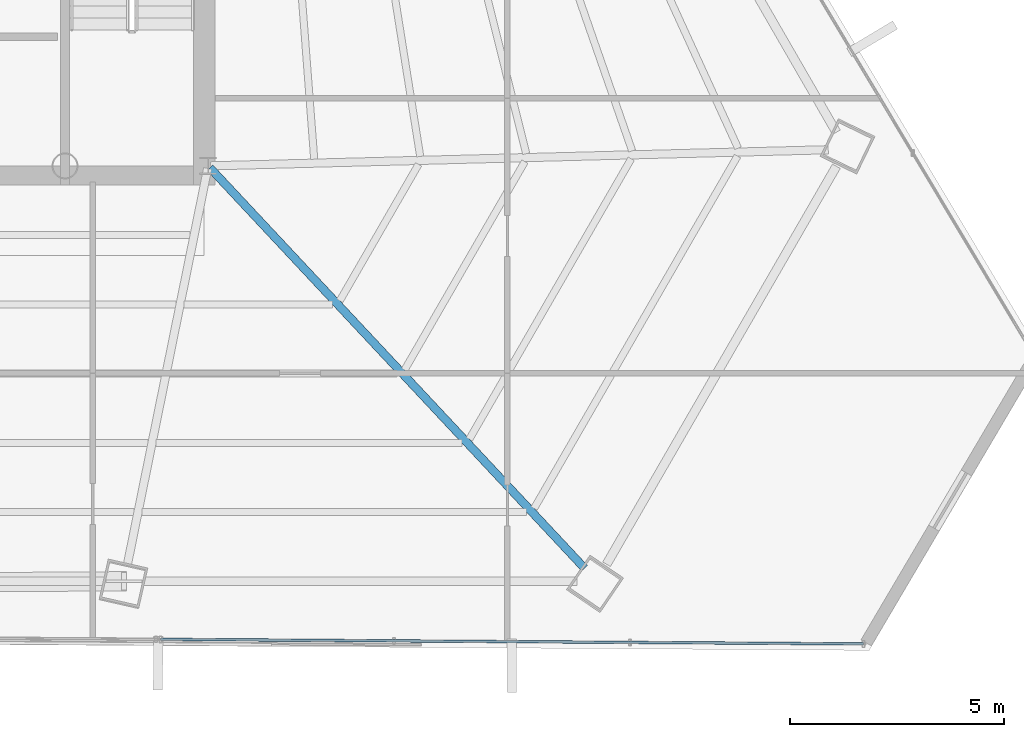
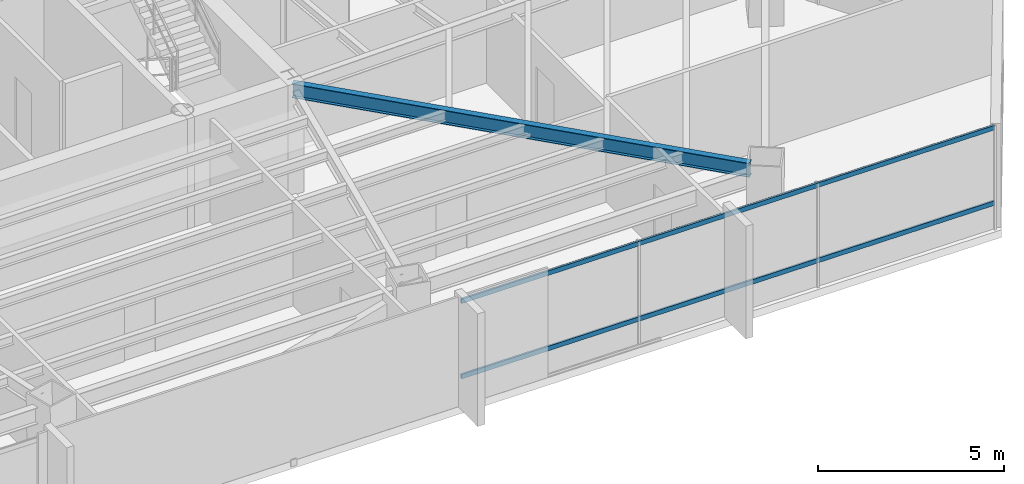
# One storey, part 18 of 41: 2 members, 1 beam, 1 element without a shape of its own.
"""IFC4 building model written with IfcOpenShell, lengths in metres."""

from ifc_helpers import new_model, si_unit, direction, frame, origin, origin_2d, place, context, subcontext, project, spatial, hollow_rectangle, i_section, extrude, source, transform, mapped, material, material_profile, profile_set, type_object, type_shapes, element, aggregate, save


model = new_model("IFC4")

# Units and contexts
model_context = context("Model", 3, precision=1e-05, world=origin(), true_north=direction((0.0, 1.0)))
body_context = subcontext(model_context, "Body", "Model", "MODEL_VIEW")
ifc_project = project(units=[si_unit("LENGTHUNIT", "METRE"), si_unit("AREAUNIT", "SQUARE_METRE"), si_unit("VOLUMEUNIT", "CUBIC_METRE"), si_unit("PLANEANGLEUNIT", "RADIAN"), si_unit("MASSUNIT", "GRAM", prefix="KILO")], contexts=[model_context])

# Site, building, storey
site_placement = place(None, origin())
site = spatial("IfcSite", under=ifc_project, at=site_placement, CompositionType="ELEMENT")
building_placement = place(site_placement, origin())
building = spatial("IfcBuilding", under=site, at=building_placement, Name="Caelisora Broadcast Tower", CompositionType="ELEMENT")
storey_placement = place(building_placement, frame((0.0, 0.0, 169.449951171875)))
storey = spatial("IfcBuildingStorey", under=building, at=storey_placement, Name="L44", CompositionType="ELEMENT", Elevation=169.449951171875)

# Beam
ifc_material_1 = material(Name="Steel Grade 350 (AS/NZS 3679.1)", Category="steel")
ifc_material_profile_1 = material_profile(ifc_material_1, i_section(OverallWidth=0.19091796875, OverallDepth=0.46044921875, WebThickness=0.010009765625, FlangeThickness=0.01611328125, at=origin_2d()), Name="Steel Grade 350 (AS/NZS 3679.1)")
ifc_profile_set_1 = profile_set([ifc_material_profile_1], Name="Steel Grade 350 (AS/NZS 3679.1)")
beam_type = type_object("IfcBeamType", Name="PG06", PredefinedType="BEAM", material=ifc_profile_set_1)
shared_shape_1 = source(origin(), body_context, "Body", "SweptSolid", [
    extrude(i_section(OverallWidth=0.19091796875, OverallDepth=0.46044921875, WebThickness=0.010009765625, FlangeThickness=0.01611328125, at=origin_2d()), origin(), (0.0, 0.0, 1.0), 12.828125),
])
type_shapes(beam_type, [shared_shape_1])
beam_placement = place(storey_placement, frame((45.541015625, 17.356201171875, 3.169921875), z_axis=(0.68320198202, -0.730229451449, 0.0), x_axis=(0.730229451449, 0.68320198202, 0.0)))
element("IfcBeam", 1, at=beam_placement, inside=storey, type_object=beam_type, Name="L44 beam PG06", PredefinedType="BEAM", context=body_context, shape_type="MappedRepresentation", body=[
    mapped(shared_shape_1, transform((0.0, 0.0, 0.0), scale=1.0)),
])

# Curtain wall, members
ifc_material_2 = material(Name="Unitised Aluminium and Low-E Glass Curtain Wall", Category="glass")
curtain_wall_type = type_object("IfcCurtainWallType", Name="CW-Z3", PredefinedType="NOTDEFINED", material=ifc_material_2)
curtain_wall_placement = place(storey_placement, origin())
curtain_wall = element("IfcCurtainWall", 2, at=curtain_wall_placement, inside=storey, type_object=curtain_wall_type, Name="L44 curtain wall CW-Z3", PredefinedType="NOTDEFINED")
ifc_material_3 = material(Name="Aluminium 6063-T6 Anodised Terracotta Bronze", Category="aluminium")
ifc_material_profile_2 = material_profile(ifc_material_3, hollow_rectangle(XDim=0.06005859375, YDim=0.14990234375, WallThickness=0.00341796875, at=origin_2d()), Name="Aluminium 6063-T6 Anodised Terracotta Bronze")
ifc_profile_set_2 = profile_set([ifc_material_profile_2], Name="Aluminium 6063-T6 Anodised Terracotta Bronze")
member_type = type_object("IfcMemberType", Name="CWT-02", PredefinedType="USERDEFINED", material=ifc_profile_set_2)
shared_shape_2 = source(origin(), body_context, "Body", "SweptSolid", [
    extrude(hollow_rectangle(XDim=0.06005859375, YDim=0.14990234375, WallThickness=0.00341796875, at=origin_2d()), origin(), (0.0, 0.0, 1.0), 16.4453125),
])
type_shapes(member_type, [shared_shape_2])
member_1_placement = place(storey_placement, frame((60.8310546875, 6.21533203125, 0.85009765625), z_axis=(-0.999978374204, 0.006576558734, 0.0), x_axis=(-0.006576558734, -0.999978374204, 0.0)))
member_1 = element("IfcMember", 3, at=member_1_placement, type_object=member_type, Name="L44-CW-B05 transom #1", ObjectType="TRANSOM", PredefinedType="USERDEFINED", context=body_context, shape_type="MappedRepresentation", body=[
    mapped(shared_shape_2, transform((0.0, 0.0, 0.0), scale=1.0)),
])
member_2_placement = place(storey_placement, frame((60.8310546875, 6.21533203125, 3.320068359375), z_axis=(-0.999978374204, 0.006576558734, 0.0), x_axis=(-0.006576558734, -0.999978374204, 0.0)))
member_2 = element("IfcMember", 4, at=member_2_placement, type_object=member_type, Name="L44-CW-B05 transom #2", ObjectType="TRANSOM", PredefinedType="USERDEFINED", context=body_context, shape_type="MappedRepresentation", body=[
    mapped(shared_shape_2, transform((0.0, 0.0, 0.0), scale=1.0)),
])
aggregate(curtain_wall, [member_1, member_2])

save(model, "model.ifc")
